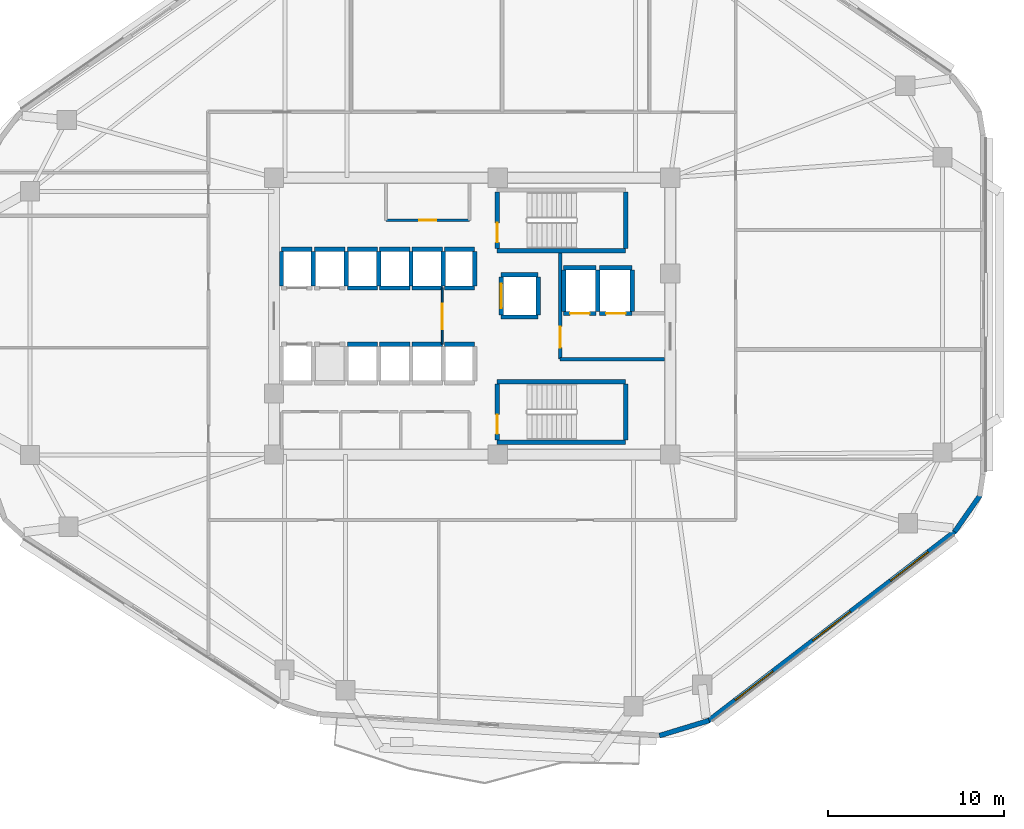
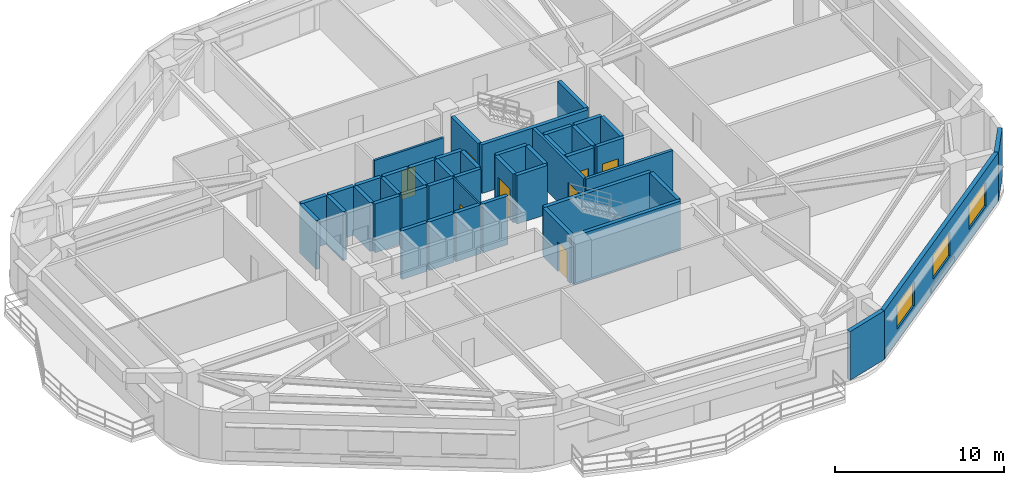
# One storey, part 4 of 10: 46 walls, 8 doors, 3 windows, 11 openings.
"""IFC4 building model written with IfcOpenShell, lengths in metres."""

import ifcopenshell
import ifcopenshell.guid

model = None  # the IFC model being written
_history = None  # IfcOwnerHistory: only IFC2X3 demands one
_inside = {}  # id of a spatial element -> (the spatial element, [elements in it])
_under = {}  # id of a project, library or spatial element -> (it, [spatial elements below it])
_declared = {}  # id of a project -> (the project, [libraries it declares])
_typed = {}  # id of a type object -> (the type object, [elements of that type])
_made_of = {}  # id of a material, layer set ... -> (it, [elements and type objects made of it])


def new_model(schema):
    """Start an empty IFC model of exactly this schema.

    Asked for "IFC4X3", IfcOpenShell would pick the latest addendum, in which some entities
    have other attributes; the version numbers below select the first issue.
    IFC2X3 requires an IfcOwnerHistory on every rooted entity: one is made here for all.
    """
    global model, _history
    if schema == "IFC4X3":
        model = ifcopenshell.file(schema_version=(4, 3, 0, 0))
    else:
        model = ifcopenshell.file(schema=schema)
    _inside.clear()
    _under.clear()
    _declared.clear()
    _typed.clear()
    _made_of.clear()
    _history = None
    if model.schema == "IFC2X3":
        org = make("IfcOrganization", Name="unknown")
        user = make(
            "IfcPersonAndOrganization",
            ThePerson=make("IfcPerson", FamilyName="unknown"),
            TheOrganization=org,
        )
        app = make(
            "IfcApplication",
            ApplicationDeveloper=org,
            Version="unknown",
            ApplicationFullName="unknown",
            ApplicationIdentifier="unknown",
        )
        _history = make(
            "IfcOwnerHistory",
            OwningUser=user,
            OwningApplication=app,
            ChangeAction="ADDED",
            CreationDate=0,
        )
    return model


def make(cls, **values):
    """One entity of the class cls with the attributes given. An attribute that is None is left unset."""
    return model.create_entity(
        cls, **{name: value for name, value in values.items() if value is not None}
    )


def rooted(cls, **values):
    """An entity with a GlobalId (a new one), such as an element, a storey or a relation."""
    return make(cls, GlobalId=ifcopenshell.guid.new(), OwnerHistory=_history, **values)


def si_unit(unit_type, name, prefix=None):
    """IfcSIUnit, for example si_unit("LENGTHUNIT", "METRE", prefix="MILLI")."""
    return make("IfcSIUnit", UnitType=unit_type, Prefix=prefix, Name=name)


def assignment(units):
    """IfcUnitAssignment: the units of a project."""
    return None if units is None else make("IfcUnitAssignment", Units=units)


def point(xyz):
    """IfcCartesianPoint."""
    return None if xyz is None else make("IfcCartesianPoint", Coordinates=xyz)


def direction(xyz):
    """IfcDirection."""
    return None if xyz is None else make("IfcDirection", DirectionRatios=xyz)


def frame(location, z_axis=None, x_axis=None):
    """IfcAxis2Placement3D, a coordinate frame: its origin and axes. An axis left out is left unset."""
    return make(
        "IfcAxis2Placement3D",
        Location=point(location),
        Axis=direction(z_axis),
        RefDirection=direction(x_axis),
    )


def frame_2d(location, x_axis=None):
    """IfcAxis2Placement2D, a coordinate frame in the plane: its origin and x axis."""
    return make(
        "IfcAxis2Placement2D", Location=point(location), RefDirection=direction(x_axis)
    )


def origin():
    """The frame at (0, 0, 0) with its axes left unset."""
    return frame((0.0, 0.0, 0.0))


def place(relative_to, where):
    """IfcLocalPlacement: puts the frame where relative to a parent placement (None: the world)."""
    return make(
        "IfcLocalPlacement", PlacementRelTo=relative_to, RelativePlacement=where
    )


def context(
    kind, dimensions, precision=None, world=None, true_north=None, identifier=None
):
    """IfcGeometricRepresentationContext, for example the 3D "Model" context."""
    return make(
        "IfcGeometricRepresentationContext",
        ContextIdentifier=identifier,
        ContextType=kind,
        CoordinateSpaceDimension=dimensions,
        Precision=precision,
        WorldCoordinateSystem=world,
        TrueNorth=true_north,
    )


def subcontext(parent, identifier, kind, view, scale=None):
    """IfcGeometricRepresentationSubContext, for example "Body" below "Model"."""
    return make(
        "IfcGeometricRepresentationSubContext",
        ContextIdentifier=identifier,
        ContextType=kind,
        ParentContext=parent,
        TargetScale=scale,
        TargetView=view,
    )


def project(units=None, contexts=None):
    """IfcProject with its units and contexts."""
    return rooted(
        "IfcProject",
        Name="project",
        RepresentationContexts=contexts,
        UnitsInContext=assignment(units),
    )


def spatial(cls, under=None, at=None, **own):
    """A site, building, storey or space (cls), placed at a placement, below another one or the project."""
    s = rooted(cls, ObjectPlacement=at, **own)
    if under is not None:
        _under.setdefault(under.id(), (under, []))[1].append(s)
    return s


def profile(cls, at=None, kind="AREA", **sizes):
    """A parametric profile (cls). Its sizes go by their IFC names, for example OverallWidth=200.0."""
    return make(cls, ProfileType=kind, Position=at, **sizes)


def rectangle(**sizes):
    """IfcRectangleProfileDef."""
    return profile("IfcRectangleProfileDef", **sizes)


def extrude(swept, where, along, depth):
    """IfcExtrudedAreaSolid: the profile swept, set in the frame where, extruded along a direction by depth."""
    return make(
        "IfcExtrudedAreaSolid",
        SweptArea=swept,
        Position=where,
        ExtrudedDirection=direction(along),
        Depth=depth,
    )


def shape(context_of_items, identifier, shape_type, items):
    """IfcShapeRepresentation: the items that make up one representation, for example the "Body"."""
    return make(
        "IfcShapeRepresentation",
        ContextOfItems=context_of_items,
        RepresentationIdentifier=identifier,
        RepresentationType=shape_type,
        Items=items,
    )


def material(Name=None, Category=None):
    """IfcMaterial."""
    return make("IfcMaterial", Name=Name, Category=Category)


def layer(
    of_material, thickness, ventilated=None, Name=None, Category=None, Priority=None
):
    """IfcMaterialLayer: one layer of a wall or slab, of a material (None: an air gap)."""
    return make(
        "IfcMaterialLayer",
        Material=of_material,
        LayerThickness=thickness,
        IsVentilated=ventilated,
        Name=Name,
        Category=Category,
        Priority=Priority,
    )


def layer_set(layers, Name=None):
    """IfcMaterialLayerSet."""
    return make("IfcMaterialLayerSet", MaterialLayers=layers, LayerSetName=Name)


def made_of(thing, what):
    """Note that an element or type object is made of a material, layer set ...; save() writes the relation."""
    if what is not None:
        _made_of.setdefault(what.id(), (what, []))[1].append(thing)
    return thing


def type_object(cls, material=None, **own):
    """A type object (cls), such as IfcWallType, which elements share."""
    return made_of(rooted(cls, **own), material)


def element(
    cls,
    number,
    at=None,
    inside=None,
    cuts=None,
    type_object=None,
    material=None,
    context=None,
    identifier="Body",
    shape_type=None,
    held_by="IfcProductDefinitionShape",
    body=None,
    shapes=None,
    **own,
):
    """One element of the class cls, such as IfcWall. Its Tag is "e" and its number.

    at: its placement. inside: the storey or other place that contains it. cuts: it is an
    opening in that element (IfcRelVoidsElement). A single representation is given by context,
    identifier, shape_type and body (its items); several are given by shapes. held_by: the class
    of the entity that holds the representations. save() writes the other relations.
    """
    e = rooted(cls, Tag="e%d" % number, ObjectPlacement=at, **own)
    if body is not None:
        shapes = [shape(context, identifier, shape_type, body)]
    if shapes is not None:
        e.Representation = make(held_by, Representations=shapes)
    if inside is not None:
        _inside.setdefault(inside.id(), (inside, []))[1].append(e)
    if cuts is not None:
        rooted(
            "IfcRelVoidsElement", RelatingBuildingElement=cuts, RelatedOpeningElement=e
        )
    if type_object is not None:
        _typed.setdefault(type_object.id(), (type_object, []))[1].append(e)
    return made_of(e, material)


def fill(opening, filler):
    """IfcRelFillsElement: the door or window that sits in an opening."""
    return rooted(
        "IfcRelFillsElement",
        RelatingOpeningElement=opening,
        RelatedBuildingElement=filler,
    )


def aggregate(whole, parts):
    """IfcRelAggregates: a whole, such as a stair, and the parts it consists of."""
    return rooted("IfcRelAggregates", RelatingObject=whole, RelatedObjects=parts)


def save(model, path):
    """Write the relations noted so far, then the file.

    IfcRelAggregates (storeys below a building ...), IfcRelContainedInSpatialStructure (elements
    in a storey), IfcRelDefinesByType, IfcRelAssociatesMaterial and IfcRelDeclares: one each for
    every whole, place, type object, material and project.
    """
    for whole, parts in _under.values():
        aggregate(whole, parts)
    for where, things in _inside.values():
        rooted(
            "IfcRelContainedInSpatialStructure",
            RelatedElements=things,
            RelatingStructure=where,
        )
    for kind, things in _typed.values():
        rooted("IfcRelDefinesByType", RelatedObjects=things, RelatingType=kind)
    for what, things in _made_of.values():
        rooted("IfcRelAssociatesMaterial", RelatedObjects=things, RelatingMaterial=what)
    for by, libraries in _declared.values():
        rooted("IfcRelDeclares", RelatingContext=by, RelatedDefinitions=libraries)
    model.write(path)


model = new_model("IFC4")

# Units and contexts
model_context = context("Model", 3, precision=1e-05, world=origin(), true_north=direction((0.0, 1.0)))
body_context = subcontext(model_context, "Body", "Model", "MODEL_VIEW")
ifc_project = project(units=[si_unit("LENGTHUNIT", "METRE"), si_unit("AREAUNIT", "SQUARE_METRE"), si_unit("VOLUMEUNIT", "CUBIC_METRE"), si_unit("PLANEANGLEUNIT", "RADIAN"), si_unit("MASSUNIT", "GRAM", prefix="KILO")], contexts=[model_context])

# Site, building, storey
site_placement = place(None, origin())
site = spatial("IfcSite", under=ifc_project, at=site_placement, CompositionType="ELEMENT")
building_placement = place(site_placement, origin())
building = spatial("IfcBuilding", under=site, at=building_placement, Name="Zulverin Broadcast Headquarters", CompositionType="ELEMENT")
storey_placement = place(building_placement, frame((0.0, 0.0, 97.199951171875)))
storey = spatial("IfcBuildingStorey", under=building, at=storey_placement, Name="L24", CompositionType="ELEMENT", Elevation=97.199951171875)

# Wall, openings, windows
ifc_material_1 = material(Name="Insulated pale-metal clad concrete spandrel C40/50", Category="concrete")
ifc_layer_1 = layer(ifc_material_1, 0.280029296875, Name="Insulated pale-metal clad concrete spandrel C40/50", Category="concrete")
ifc_layer_set_1 = layer_set([ifc_layer_1], Name="Insulated pale-metal clad concrete spandrel C40/50")
wall_type_1 = type_object("IfcWallType", Name="WL-EXT-280", PredefinedType="STANDARD", material=ifc_layer_set_1)
wall_1_placement = place(storey_placement, frame((50.4287109375, 2.171630859375, 0.0), z_axis=(0.0, 0.0, 1.0), x_axis=(0.792937466367, 0.609303023488, 0.0)))
wall_1 = element("IfcWall", 1, at=wall_1_placement, inside=storey, type_object=wall_type_1, Name="L24 Pale-Metal Clad Spandrel Wall 2", PredefinedType="STANDARD", context=body_context, shape_type="SweptSolid", body=[
    extrude(rectangle(XDim=17.712890625, YDim=0.280029296875, at=frame_2d((8.8564453125, 0.0))), origin(), (0.0, 0.0, 1.0), 3.525146484375),
])
opening_1_placement = place(wall_1_placement, frame((1.935546875, 0.0, 0.89990234375)))
opening_1 = element("IfcOpeningElement", 2, at=opening_1_placement, cuts=wall_1, Name="Opening W-L24-E21", PredefinedType="OPENING", context=body_context, shape_type="SweptSolid", body=[
    extrude(rectangle(XDim=2.699951171875, YDim=1.75, at=frame_2d((1.35009765625, 0.875))), frame((0.0, 0.14990234375, 0.0), z_axis=(0.0, -1.0, 0.0), x_axis=(1.0, 0.0, 0.0)), (0.0, 0.0, 1.0), 0.300048828125),
])
opening_2_placement = place(wall_1_placement, frame((7.50634765625, 0.0, 0.89990234375)))
opening_2 = element("IfcOpeningElement", 3, at=opening_2_placement, cuts=wall_1, Name="Opening W-L24-E22", PredefinedType="OPENING", context=body_context, shape_type="SweptSolid", body=[
    extrude(rectangle(XDim=2.699951171875, YDim=1.75, at=frame_2d((1.35009765625, 0.875))), frame((0.0, 0.14990234375, 0.0), z_axis=(0.0, -1.0, 0.0), x_axis=(1.0, 0.0, 0.0)), (0.0, 0.0, 1.0), 0.300048828125),
])
opening_3_placement = place(wall_1_placement, frame((13.077392578125, 0.0, 0.89990234375)))
opening_3 = element("IfcOpeningElement", 4, at=opening_3_placement, cuts=wall_1, Name="Opening W-L24-E23", PredefinedType="OPENING", context=body_context, shape_type="SweptSolid", body=[
    extrude(rectangle(XDim=2.699951171875, YDim=1.75, at=frame_2d((1.35009765625, 0.875))), frame((0.0, 0.14990234375, 0.0), z_axis=(0.0, -1.0, 0.0), x_axis=(1.0, 0.0, 0.0)), (0.0, 0.0, 1.0), 0.300048828125),
])
ifc_material_2 = material(Name="Pale anodized aluminium frame with solar-control low-E double glazing", Category="aluminium")
window_type = type_object("IfcWindowType", Name="WIN-TWR-2700", PartitioningType="SINGLE_PANEL", PredefinedType="WINDOW", material=ifc_material_2)
window_1_placement = place(opening_1_placement, origin())
window_1 = element("IfcWindow", 5, at=window_1_placement, inside=storey, type_object=window_type, Name="L24 Ribbon Glazing Window 2 1", OverallHeight=1.75, OverallWidth=2.699951171875, PartitioningType="SINGLE_PANEL", PredefinedType="WINDOW", context=body_context, shape_type="SweptSolid", body=[
    extrude(rectangle(XDim=2.699951171875, YDim=1.75, at=frame_2d((1.35009765625, 0.875))), frame((0.0, 0.030029296875, 0.0), z_axis=(0.0, -1.0, 0.0), x_axis=(1.0, 0.0, 0.0)), (0.0, 0.0, 1.0), 0.06005859375),
])
fill(opening_1, window_1)
window_2_placement = place(opening_2_placement, origin())
window_2 = element("IfcWindow", 6, at=window_2_placement, inside=storey, type_object=window_type, Name="L24 Ribbon Glazing Window 2 2", OverallHeight=1.75, OverallWidth=2.699951171875, PartitioningType="SINGLE_PANEL", PredefinedType="WINDOW", context=body_context, shape_type="SweptSolid", body=[
    extrude(rectangle(XDim=2.699951171875, YDim=1.75, at=frame_2d((1.35009765625, 0.875))), frame((0.0, 0.030029296875, 0.0), z_axis=(0.0, -1.0, 0.0), x_axis=(1.0, 0.0, 0.0)), (0.0, 0.0, 1.0), 0.06005859375),
])
fill(opening_2, window_2)
window_3_placement = place(opening_3_placement, origin())
window_3 = element("IfcWindow", 7, at=window_3_placement, inside=storey, type_object=window_type, Name="L24 Ribbon Glazing Window 2 3", OverallHeight=1.75, OverallWidth=2.699951171875, PartitioningType="SINGLE_PANEL", PredefinedType="WINDOW", context=body_context, shape_type="SweptSolid", body=[
    extrude(rectangle(XDim=2.699951171875, YDim=1.75, at=frame_2d((1.35009765625, 0.875))), frame((0.0, 0.030029296875, 0.0), z_axis=(0.0, -1.0, 0.0), x_axis=(1.0, 0.0, 0.0)), (0.0, 0.0, 1.0), 0.06005859375),
])
fill(opening_3, window_3)

# Walls
wall_2_placement = place(storey_placement, frame((47.649658203125, 1.3330078125, 0.0), z_axis=(0.0, 0.0, 1.0), x_axis=(0.956461287977, 0.291859220516, 0.0)))
element("IfcWall", 8, at=wall_2_placement, inside=storey, type_object=wall_type_1, Name="L24 Wind-Shaped Corner Spandrel Wall 1-1", PredefinedType="STANDARD", context=body_context, shape_type="SweptSolid", body=[
    extrude(rectangle(XDim=2.951904296875, YDim=0.280029296875, at=frame_2d((1.47607421875, 0.0))), origin(), (0.0, 0.0, 1.0), 3.525146484375),
])
wall_3_placement = place(storey_placement, frame((64.4443359375, 12.933349609375, 0.0), z_axis=(0.0, 0.0, 1.0), x_axis=(0.573176686443, 0.819431806875, 0.0)))
element("IfcWall", 9, at=wall_3_placement, inside=storey, type_object=wall_type_1, Name="L24 Wind-Shaped Corner Spandrel Wall 2-1", PredefinedType="STANDARD", context=body_context, shape_type="SweptSolid", body=[
    extrude(rectangle(XDim=2.524169921875, YDim=0.280029296875, at=frame_2d((1.26220703125, 0.0))), origin(), (0.0, 0.0, 1.0), 3.525146484375),
])

# Wall, opening, door
ifc_material_3 = material(Name="Concrete C40/50", Category="concrete")
ifc_layer_2 = layer(ifc_material_3, 0.199951171875, Name="Concrete C40/50", Category="concrete")
ifc_layer_set_2 = layer_set([ifc_layer_2], Name="Concrete C40/50")
wall_type_2 = type_object("IfcWallType", Name="WL-FFL-200", PredefinedType="SOLIDWALL", material=ifc_layer_set_2)
wall_4_placement = place(storey_placement, frame((42.0, 22.75, 0.0), z_axis=(0.0, 0.0, 1.0), x_axis=(0.0, 1.0, 0.0)))
wall_4 = element("IfcWall", 10, at=wall_4_placement, inside=storey, type_object=wall_type_2, Name="L24 Firefighting Lift Lobby West Wall", PredefinedType="SOLIDWALL", context=body_context, shape_type="SweptSolid", body=[
    extrude(rectangle(XDim=6.050048828125, YDim=0.199951171875, at=frame_2d((3.02490234375, 0.0))), origin(), (0.0, 0.0, 1.0), 3.525146484375),
])
opening_4_placement = place(wall_4_placement, frame((0.64990234375, 0.0, 0.0)))
opening_4 = element("IfcOpeningElement", 11, at=opening_4_placement, cuts=wall_4, Name="Opening D-L24-FFLW", PredefinedType="OPENING", context=body_context, shape_type="SweptSolid", body=[
    extrude(rectangle(XDim=1.199951171875, YDim=2.14990234375, at=frame_2d((0.60009765625, 1.074951171875))), frame((0.0, 0.10986328125, 0.0), z_axis=(0.0, -1.0, 0.0), x_axis=(1.0, 0.0, 0.0)), (0.0, 0.0, 1.0), 0.219970703125),
])
ifc_material_4 = material(Name="Fire-rated steel leaf and frame", Category="steel")
door_type_1 = type_object("IfcDoorType", Name="DR-FFL-1200", OperationType="SINGLE_SWING_RIGHT", PredefinedType="DOOR", material=ifc_material_4)
door_1_placement = place(opening_4_placement, origin())
door_1 = element("IfcDoor", 12, at=door_1_placement, inside=storey, type_object=door_type_1, Name="L24 Firefighting Lift Lobby Door", OperationType="SINGLE_SWING_RIGHT", OverallHeight=2.14990234375, OverallWidth=1.199951171875, PredefinedType="DOOR", context=body_context, shape_type="SweptSolid", body=[
    extrude(rectangle(XDim=1.199951171875, YDim=2.14990234375, at=frame_2d((0.60009765625, 1.074951171875))), frame((0.0, 0.02490234375, 0.0), z_axis=(0.0, -1.0, 0.0), x_axis=(1.0, 0.0, 0.0)), (0.0, 0.0, 1.0), 0.050048828125),
])
fill(opening_4, door_1)

# Wall
wall_5_placement = place(storey_placement, frame((42.0, 22.75, 0.0), z_axis=(0.0, 0.0, 1.0), x_axis=(1.0, 0.0, 0.0)))
element("IfcWall", 13, at=wall_5_placement, inside=storey, type_object=wall_type_2, Name="L24 Firefighting Lift Lobby South Wall", PredefinedType="SOLIDWALL", context=body_context, shape_type="SweptSolid", body=[
    extrude(rectangle(XDim=5.949951171875, YDim=0.199951171875, at=frame_2d((2.97509765625, 0.0))), origin(), (0.0, 0.0, 1.0), 3.525146484375),
])

# Wall, opening, door
ifc_material_5 = material(Name="Fire-rated acoustic laminated glass screen", Category="glass")
ifc_layer_3 = layer(ifc_material_5, 0.10009765625, Name="Fire-rated acoustic laminated glass screen", Category="glass")
ifc_layer_set_3 = layer_set([ifc_layer_3], Name="Fire-rated acoustic laminated glass screen")
wall_type_3 = type_object("IfcWallType", Name="WL-GLAZ-100", PredefinedType="PARTITIONING", material=ifc_layer_set_3)
wall_6_placement = place(storey_placement, frame((35.300048828125, 23.60009765625, 0.0), z_axis=(0.0, 0.0, 1.0), x_axis=(0.0, 1.0, 0.0)))
wall_6 = element("IfcWall", 14, at=wall_6_placement, inside=storey, type_object=wall_type_3, Name="L24 Central Core Smoke Vestibule Screen", PredefinedType="PARTITIONING", context=body_context, shape_type="SweptSolid", body=[
    extrude(rectangle(XDim=3.199951171875, YDim=0.10009765625, at=frame_2d((1.60009765625, 0.0))), origin(), (0.0, 0.0, 1.0), 3.525146484375),
])
opening_5_placement = place(wall_6_placement, frame((0.85009765625, 0.0, 0.0)))
opening_5 = element("IfcOpeningElement", 15, at=opening_5_placement, cuts=wall_6, Name="Opening D-L24-CL2", PredefinedType="OPENING", context=body_context, shape_type="SweptSolid", body=[
    extrude(rectangle(XDim=1.449951171875, YDim=2.1201171875, at=frame_2d((0.72509765625, 1.06005859375))), frame((0.0, 0.06005859375, 0.0), z_axis=(0.0, -1.0, 0.0), x_axis=(1.0, 0.0, 0.0)), (0.0, 0.0, 1.0), 0.1201171875),
])
ifc_material_6 = material(Name="Fire-rated acoustic glazed double leaf", Category="glass")
door_type_2 = type_object("IfcDoorType", Name="DR-GLZ-1450", OperationType="DOUBLE_DOOR_SINGLE_SWING", PredefinedType="DOOR", material=ifc_material_6)
door_2_placement = place(opening_5_placement, origin())
door_2 = element("IfcDoor", 16, at=door_2_placement, inside=storey, type_object=door_type_2, Name="L24 Central Core Smoke Vestibule Door", OperationType="DOUBLE_DOOR_SINGLE_SWING", OverallHeight=2.1201171875, OverallWidth=1.449951171875, PredefinedType="DOOR", context=body_context, shape_type="SweptSolid", body=[
    extrude(rectangle(XDim=1.449951171875, YDim=2.1201171875, at=frame_2d((0.72509765625, 1.06005859375))), frame((0.0, 0.02490234375, 0.0), z_axis=(0.0, -1.0, 0.0), x_axis=(1.0, 0.0, 0.0)), (0.0, 0.0, 1.0), 0.050048828125),
])
fill(opening_5, door_2)

ifc_material_7 = material(Name="Fire-rated gypsum stud partition", Category="gypsum")
ifc_layer_4 = layer(ifc_material_7, 0.14990234375, Name="Fire-rated gypsum stud partition", Category="gypsum")
ifc_layer_set_4 = layer_set([ifc_layer_4], Name="Fire-rated gypsum stud partition")
wall_type_4 = type_object("IfcWallType", Name="WL-PART-150", PredefinedType="PARTITIONING", material=ifc_layer_set_4)
wall_7_placement = place(storey_placement, frame((32.10009765625, 30.64990234375, 0.0), z_axis=(0.0, 0.0, 1.0), x_axis=(1.0, 0.0, 0.0)))
wall_7 = element("IfcWall", 17, at=wall_7_placement, inside=storey, type_object=wall_type_4, Name="L24 Core Accessible WC & Electrical Riser Front Wall", PredefinedType="PARTITIONING", context=body_context, shape_type="SweptSolid", body=[
    extrude(rectangle(XDim=4.75, YDim=0.14990234375, at=frame_2d((2.375, 0.0))), origin(), (0.0, 0.0, 1.0), 3.525146484375),
])
opening_6_placement = place(wall_7_placement, frame((1.89990234375, 0.0, 0.0)))
opening_6 = element("IfcOpeningElement", 18, at=opening_6_placement, cuts=wall_7, Name="Opening D-L24-NC1", PredefinedType="OPENING", context=body_context, shape_type="SweptSolid", body=[
    extrude(rectangle(XDim=0.949951171875, YDim=2.10009765625, at=frame_2d((0.47509765625, 1.050048828125))), frame((0.0, 0.0849609375, 0.0), z_axis=(0.0, -1.0, 0.0), x_axis=(1.0, 0.0, 0.0)), (0.0, 0.0, 1.0), 0.169921875),
])
ifc_material_8 = material(Name="Fire-rated moisture-resistant laminate leaf", Category="wood")
door_type_3 = type_object("IfcDoorType", Name="DR-WC-950", OperationType="SINGLE_SWING_LEFT", PredefinedType="DOOR", material=ifc_material_8)
door_3_placement = place(opening_6_placement, origin())
door_3 = element("IfcDoor", 19, at=door_3_placement, inside=storey, type_object=door_type_3, Name="L24 Accessible WC & Electrical Riser Door", OperationType="SINGLE_SWING_LEFT", OverallHeight=2.10009765625, OverallWidth=0.949951171875, PredefinedType="DOOR", context=body_context, shape_type="SweptSolid", body=[
    extrude(rectangle(XDim=0.949951171875, YDim=2.10009765625, at=frame_2d((0.47509765625, 1.050048828125))), frame((0.0, 0.02490234375, 0.0), z_axis=(0.0, -1.0, 0.0), x_axis=(1.0, 0.0, 0.0)), (0.0, 0.0, 1.0), 0.050048828125),
])
fill(opening_6, door_3)

# Wall
ifc_material_9 = material(Name="Concrete C50/60", Category="concrete")
ifc_layer_5 = layer(ifc_material_9, 0.25, Name="Concrete C50/60", Category="concrete")
ifc_layer_set_5 = layer_set([ifc_layer_5], Name="Concrete C50/60")
wall_type_5 = type_object("IfcWallType", Name="WL-SHAFT-250", PredefinedType="SHEAR", material=ifc_layer_set_5)
wall_8_placement = place(storey_placement, frame((38.425048828125, 28.925048828125, 0.0), z_axis=(0.0, 0.0, 1.0), x_axis=(1.0, 0.0, 0.0)))
element("IfcWall", 20, at=wall_8_placement, inside=storey, type_object=wall_type_5, Name="L24 ST-1 Enclosure Wall S", PredefinedType="SHEAR", context=body_context, shape_type="SweptSolid", body=[
    extrude(rectangle(XDim=7.300048828125, YDim=0.25, at=frame_2d((3.64990234375, 0.0))), origin(), (0.0, 0.0, 1.0), 3.525146484375),
])

# Wall, opening, door
wall_9_placement = place(storey_placement, frame((38.425048828125, 29.050048828125, 0.0), z_axis=(0.0, 0.0, 1.0), x_axis=(0.0, 1.0, 0.0)))
wall_9 = element("IfcWall", 21, at=wall_9_placement, inside=storey, type_object=wall_type_5, Name="L24 ST-1 Enclosure Wall W", PredefinedType="SHEAR", context=body_context, shape_type="SweptSolid", body=[
    extrude(rectangle(XDim=3.199951171875, YDim=0.25, at=frame_2d((1.60009765625, 0.0))), origin(), (0.0, 0.0, 1.0), 3.525146484375),
])
opening_7_placement = place(wall_9_placement, frame((0.35009765625, 0.0, 0.0)))
opening_7 = element("IfcOpeningElement", 22, at=opening_7_placement, cuts=wall_9, Name="Opening D-L24-ST-1", PredefinedType="OPENING", context=body_context, shape_type="SweptSolid", body=[
    extrude(rectangle(XDim=1.10009765625, YDim=2.14990234375, at=frame_2d((0.550048828125, 1.074951171875))), frame((0.0, 0.135009765625, 0.0), z_axis=(0.0, -1.0, 0.0), x_axis=(1.0, 0.0, 0.0)), (0.0, 0.0, 1.0), 0.27001953125),
])
door_type_4 = type_object("IfcDoorType", Name="DR-STAIR-1100", OperationType="SINGLE_SWING_LEFT", PredefinedType="DOOR", material=ifc_material_4)
door_4_placement = place(opening_7_placement, origin())
door_4 = element("IfcDoor", 23, at=door_4_placement, inside=storey, type_object=door_type_4, Name="L24 Exit Stair ST-1 Fire Door", OperationType="SINGLE_SWING_LEFT", OverallHeight=2.14990234375, OverallWidth=1.10009765625, PredefinedType="DOOR", context=body_context, shape_type="SweptSolid", body=[
    extrude(rectangle(XDim=1.10009765625, YDim=2.14990234375, at=frame_2d((0.550048828125, 1.074951171875))), frame((0.0, 0.02490234375, 0.0), z_axis=(0.0, -1.0, 0.0), x_axis=(1.0, 0.0, 0.0)), (0.0, 0.0, 1.0), 0.050048828125),
])
fill(opening_7, door_4)

# Walls
wall_10_placement = place(storey_placement, frame((45.72509765625, 29.050048828125, 0.0), z_axis=(0.0, 0.0, 1.0), x_axis=(0.0, 1.0, 0.0)))
element("IfcWall", 24, at=wall_10_placement, inside=storey, type_object=wall_type_5, Name="L24 ST-1 Enclosure Wall E", PredefinedType="SHEAR", context=body_context, shape_type="SweptSolid", body=[
    extrude(rectangle(XDim=3.199951171875, YDim=0.25, at=frame_2d((1.60009765625, 0.0))), origin(), (0.0, 0.0, 1.0), 3.525146484375),
])
for number, where, z_axis, x_axis, name in (
    (25, (38.425048828125, 18.02490234375, 0.0), (0.0, 0.0, 1.0), (1.0, 0.0, 0.0), "L24 ST-2 Enclosure Wall S"),
    (26, (38.425048828125, 21.47509765625, 0.0), (0.0, 0.0, 1.0), (1.0, 0.0, 0.0), "L24 ST-2 Enclosure Wall N"),
):
    element("IfcWall", number, at=place(storey_placement, frame(where, z_axis=z_axis, x_axis=x_axis)), inside=storey, type_object=wall_type_5, Name=name, PredefinedType="SHEAR", context=body_context, shape_type="SweptSolid", body=[
        extrude(rectangle(XDim=7.300048828125, YDim=0.25, at=frame_2d((3.64990234375, 0.0))), origin(), (0.0, 0.0, 1.0), 3.525146484375),
    ])

# Wall, opening, door
wall_11_placement = place(storey_placement, frame((38.425048828125, 18.14990234375, 0.0), z_axis=(0.0, 0.0, 1.0), x_axis=(0.0, 1.0, 0.0)))
wall_11 = element("IfcWall", 27, at=wall_11_placement, inside=storey, type_object=wall_type_5, Name="L24 ST-2 Enclosure Wall W", PredefinedType="SHEAR", context=body_context, shape_type="SweptSolid", body=[
    extrude(rectangle(XDim=3.2001953125, YDim=0.25, at=frame_2d((1.60009765625, 0.0))), origin(), (0.0, 0.0, 1.0), 3.525146484375),
])
opening_8_placement = place(wall_11_placement, frame((0.35009765625, 0.0, 0.0)))
opening_8 = element("IfcOpeningElement", 28, at=opening_8_placement, cuts=wall_11, Name="Opening D-L24-ST-2", PredefinedType="OPENING", context=body_context, shape_type="SweptSolid", body=[
    extrude(rectangle(XDim=1.10009765625, YDim=2.14990234375, at=frame_2d((0.550048828125, 1.074951171875))), frame((0.0, 0.135009765625, 0.0), z_axis=(0.0, -1.0, 0.0), x_axis=(1.0, 0.0, 0.0)), (0.0, 0.0, 1.0), 0.27001953125),
])
door_5_placement = place(opening_8_placement, origin())
door_5 = element("IfcDoor", 29, at=door_5_placement, inside=storey, type_object=door_type_4, Name="L24 Exit Stair ST-2 Fire Door", OperationType="SINGLE_SWING_RIGHT", OverallHeight=2.14990234375, OverallWidth=1.10009765625, PredefinedType="DOOR", context=body_context, shape_type="SweptSolid", body=[
    extrude(rectangle(XDim=1.10009765625, YDim=2.14990234375, at=frame_2d((0.550048828125, 1.074951171875))), frame((0.0, 0.02490234375, 0.0), z_axis=(0.0, -1.0, 0.0), x_axis=(1.0, 0.0, 0.0)), (0.0, 0.0, 1.0), 0.050048828125),
])
fill(opening_8, door_5)

# Walls
wall_12_placement = place(storey_placement, frame((45.72509765625, 18.14990234375, 0.0), z_axis=(0.0, 0.0, 1.0), x_axis=(0.0, 1.0, 0.0)))
element("IfcWall", 30, at=wall_12_placement, inside=storey, type_object=wall_type_5, Name="L24 ST-2 Enclosure Wall E", PredefinedType="SHEAR", context=body_context, shape_type="SweptSolid", body=[
    extrude(rectangle(XDim=3.2001953125, YDim=0.25, at=frame_2d((1.60009765625, 0.0))), origin(), (0.0, 0.0, 1.0), 3.525146484375),
])
wall_13_placement = place(storey_placement, frame((26.14990234375, 29.0, 0.0), z_axis=(0.0, 0.0, 1.0), x_axis=(1.0, 0.0, 0.0)))
element("IfcWall", 31, at=wall_13_placement, inside=storey, type_object=wall_type_5, Name="L24 Lift PL-L1 Shaft Wall N", PredefinedType="SHEAR", context=body_context, shape_type="SweptSolid", body=[
    extrude(rectangle(XDim=1.75, YDim=0.25, at=frame_2d((0.875, 0.0))), origin(), (0.0, 0.0, 1.0), 3.525146484375),
])
for number, where, z_axis, x_axis, name in (
    (32, (26.14990234375, 26.919921875, 0.0), (0.0, 0.0, 1.0), (0.0, 1.0, 0.0), "L24 Lift PL-L1 Shaft Wall W"),
    (33, (27.9599609375, 26.919921875, 0.0), (0.0, 0.0, 1.0), (0.0, 1.0, 0.0), "L24 Lift PL-L1 Shaft Wall E"),
):
    element("IfcWall", number, at=place(storey_placement, frame(where, z_axis=z_axis, x_axis=x_axis)), inside=storey, type_object=wall_type_5, Name=name, PredefinedType="SHEAR", context=body_context, shape_type="SweptSolid", body=[
        extrude(rectangle(XDim=1.9599609375, YDim=0.25, at=frame_2d((0.97998046875, 0.0))), origin(), (0.0, 0.0, 1.0), 3.525146484375),
    ])
wall_14_placement = place(storey_placement, frame((28.02001953125, 29.0, 0.0), z_axis=(0.0, 0.0, 1.0), x_axis=(1.0, 0.0, 0.0)))
element("IfcWall", 34, at=wall_14_placement, inside=storey, type_object=wall_type_5, Name="L24 Lift PL-L2 Shaft Wall N", PredefinedType="SHEAR", context=body_context, shape_type="SweptSolid", body=[
    extrude(rectangle(XDim=1.75, YDim=0.25, at=frame_2d((0.875, 0.0))), origin(), (0.0, 0.0, 1.0), 3.525146484375),
])
wall_15_placement = place(storey_placement, frame((29.8349609375, 26.919921875, 0.0), z_axis=(0.0, 0.0, 1.0), x_axis=(0.0, 1.0, 0.0)))
element("IfcWall", 35, at=wall_15_placement, inside=storey, type_object=wall_type_5, Name="L24 Lift PL-L2 Shaft Wall E", PredefinedType="SHEAR", context=body_context, shape_type="SweptSolid", body=[
    extrude(rectangle(XDim=1.9599609375, YDim=0.25, at=frame_2d((0.97998046875, 0.0))), origin(), (0.0, 0.0, 1.0), 3.525146484375),
])
wall_16_placement = place(storey_placement, frame((29.89990234375, 23.60009765625, 0.0), z_axis=(0.0, 0.0, 1.0), x_axis=(1.0, 0.0, 0.0)))
element("IfcWall", 36, at=wall_16_placement, inside=storey, type_object=wall_type_5, Name="L24 Lift PL-M1 Shaft Wall N", PredefinedType="SHEAR", context=body_context, shape_type="SweptSolid", body=[
    extrude(rectangle(XDim=1.72021484375, YDim=0.25, at=frame_2d((0.860107421875, 0.0))), origin(), (0.0, 0.0, 1.0), 3.525146484375),
])
for number, where, z_axis, x_axis, name in (
    (37, (31.739990234375, 23.60009765625, 0.0), (0.0, 0.0, 1.0), (1.0, 0.0, 0.0), "L24 Lift PL-M2 Shaft Wall N"),
    (38, (33.580078125, 23.60009765625, 0.0), (0.0, 0.0, 1.0), (1.0, 0.0, 0.0), "L24 Lift PL-M3 Shaft Wall N"),
    (39, (35.419921875, 23.60009765625, 0.0), (0.0, 0.0, 1.0), (1.0, 0.0, 0.0), "L24 Lift PL-M4 Shaft Wall N"),
):
    element("IfcWall", number, at=place(storey_placement, frame(where, z_axis=z_axis, x_axis=x_axis)), inside=storey, type_object=wall_type_5, Name=name, PredefinedType="SHEAR", context=body_context, shape_type="SweptSolid", body=[
        extrude(rectangle(XDim=1.719970703125, YDim=0.25, at=frame_2d((0.85986328125, 0.0))), origin(), (0.0, 0.0, 1.0), 3.525146484375),
    ])
for number, where, z_axis, x_axis, name in (
    (40, (29.89990234375, 26.800048828125, 0.0), (0.0, 0.0, 1.0), (1.0, 0.0, 0.0), "L24 Lift PL-H1 Shaft Wall S"),
    (41, (29.89990234375, 29.0, 0.0), (0.0, 0.0, 1.0), (1.0, 0.0, 0.0), "L24 Lift PL-H1 Shaft Wall N"),
):
    element("IfcWall", number, at=place(storey_placement, frame(where, z_axis=z_axis, x_axis=x_axis)), inside=storey, type_object=wall_type_5, Name=name, PredefinedType="SHEAR", context=body_context, shape_type="SweptSolid", body=[
        extrude(rectangle(XDim=1.72021484375, YDim=0.25, at=frame_2d((0.860107421875, 0.0))), origin(), (0.0, 0.0, 1.0), 3.525146484375),
    ])
wall_17_placement = place(storey_placement, frame((31.679931640625, 26.919921875, 0.0), z_axis=(0.0, 0.0, 1.0), x_axis=(0.0, 1.0, 0.0)))
element("IfcWall", 42, at=wall_17_placement, inside=storey, type_object=wall_type_5, Name="L24 Lift PL-H1 Shaft Wall E", PredefinedType="SHEAR", context=body_context, shape_type="SweptSolid", body=[
    extrude(rectangle(XDim=1.9599609375, YDim=0.25, at=frame_2d((0.97998046875, 0.0))), origin(), (0.0, 0.0, 1.0), 3.525146484375),
])
for number, where, z_axis, x_axis, name in (
    (43, (31.739990234375, 26.800048828125, 0.0), (0.0, 0.0, 1.0), (1.0, 0.0, 0.0), "L24 Lift PL-H2 Shaft Wall S"),
    (44, (31.739990234375, 29.0, 0.0), (0.0, 0.0, 1.0), (1.0, 0.0, 0.0), "L24 Lift PL-H2 Shaft Wall N"),
):
    element("IfcWall", number, at=place(storey_placement, frame(where, z_axis=z_axis, x_axis=x_axis)), inside=storey, type_object=wall_type_5, Name=name, PredefinedType="SHEAR", context=body_context, shape_type="SweptSolid", body=[
        extrude(rectangle(XDim=1.719970703125, YDim=0.25, at=frame_2d((0.85986328125, 0.0))), origin(), (0.0, 0.0, 1.0), 3.525146484375),
    ])
wall_18_placement = place(storey_placement, frame((33.52001953125, 26.919921875, 0.0), z_axis=(0.0, 0.0, 1.0), x_axis=(0.0, 1.0, 0.0)))
element("IfcWall", 45, at=wall_18_placement, inside=storey, type_object=wall_type_5, Name="L24 Lift PL-H2 Shaft Wall E", PredefinedType="SHEAR", context=body_context, shape_type="SweptSolid", body=[
    extrude(rectangle(XDim=1.9599609375, YDim=0.25, at=frame_2d((0.97998046875, 0.0))), origin(), (0.0, 0.0, 1.0), 3.525146484375),
])
for number, where, z_axis, x_axis, name in (
    (46, (33.580078125, 26.800048828125, 0.0), (0.0, 0.0, 1.0), (1.0, 0.0, 0.0), "L24 Lift PL-H3 Shaft Wall S"),
    (47, (33.580078125, 29.0, 0.0), (0.0, 0.0, 1.0), (1.0, 0.0, 0.0), "L24 Lift PL-H3 Shaft Wall N"),
):
    element("IfcWall", number, at=place(storey_placement, frame(where, z_axis=z_axis, x_axis=x_axis)), inside=storey, type_object=wall_type_5, Name=name, PredefinedType="SHEAR", context=body_context, shape_type="SweptSolid", body=[
        extrude(rectangle(XDim=1.719970703125, YDim=0.25, at=frame_2d((0.85986328125, 0.0))), origin(), (0.0, 0.0, 1.0), 3.525146484375),
    ])
wall_19_placement = place(storey_placement, frame((35.360107421875, 26.919921875, 0.0), z_axis=(0.0, 0.0, 1.0), x_axis=(0.0, 1.0, 0.0)))
element("IfcWall", 48, at=wall_19_placement, inside=storey, type_object=wall_type_5, Name="L24 Lift PL-H3 Shaft Wall E", PredefinedType="SHEAR", context=body_context, shape_type="SweptSolid", body=[
    extrude(rectangle(XDim=1.9599609375, YDim=0.25, at=frame_2d((0.97998046875, 0.0))), origin(), (0.0, 0.0, 1.0), 3.525146484375),
])
for number, where, z_axis, x_axis, name in (
    (49, (35.419921875, 26.800048828125, 0.0), (0.0, 0.0, 1.0), (1.0, 0.0, 0.0), "L24 Lift PL-H4 Shaft Wall S"),
    (50, (35.419921875, 29.0, 0.0), (0.0, 0.0, 1.0), (1.0, 0.0, 0.0), "L24 Lift PL-H4 Shaft Wall N"),
):
    element("IfcWall", number, at=place(storey_placement, frame(where, z_axis=z_axis, x_axis=x_axis)), inside=storey, type_object=wall_type_5, Name=name, PredefinedType="SHEAR", context=body_context, shape_type="SweptSolid", body=[
        extrude(rectangle(XDim=1.719970703125, YDim=0.25, at=frame_2d((0.85986328125, 0.0))), origin(), (0.0, 0.0, 1.0), 3.525146484375),
    ])
wall_20_placement = place(storey_placement, frame((37.139892578125, 26.919921875, 0.0), z_axis=(0.0, 0.0, 1.0), x_axis=(0.0, 1.0, 0.0)))
element("IfcWall", 51, at=wall_20_placement, inside=storey, type_object=wall_type_5, Name="L24 Lift PL-H4 Shaft Wall E", PredefinedType="SHEAR", context=body_context, shape_type="SweptSolid", body=[
    extrude(rectangle(XDim=1.9599609375, YDim=0.25, at=frame_2d((0.97998046875, 0.0))), origin(), (0.0, 0.0, 1.0), 3.525146484375),
])

# Wall, opening, door
wall_21_placement = place(storey_placement, frame((42.199951171875, 25.35009765625, 0.0), z_axis=(0.0, 0.0, 1.0), x_axis=(1.0, 0.0, 0.0)))
wall_21 = element("IfcWall", 52, at=wall_21_placement, inside=storey, type_object=wall_type_5, Name="L24 Lift FFL-1 Shaft Wall S", PredefinedType="SHEAR", context=body_context, shape_type="SweptSolid", body=[
    extrude(rectangle(XDim=1.85009765625, YDim=0.25, at=frame_2d((0.925048828125, 0.0))), origin(), (0.0, 0.0, 1.0), 3.525146484375),
])
opening_9_placement = place(wall_21_placement, frame((0.375, 0.0, 0.0)))
opening_9 = element("IfcOpeningElement", 53, at=opening_9_placement, cuts=wall_21, Name="Opening LD-FFL-1-L24", PredefinedType="OPENING", context=body_context, shape_type="SweptSolid", body=[
    extrude(rectangle(XDim=1.10009765625, YDim=2.14990234375, at=frame_2d((0.550048828125, 1.074951171875))), frame((0.0, 0.135009765625, 0.0), z_axis=(0.0, -1.0, 0.0), x_axis=(1.0, 0.0, 0.0)), (0.0, 0.0, 1.0), 0.27001953125),
])
ifc_material_10 = material(Name="Fire-rated stainless landing door", Category="steel")
door_type_5 = type_object("IfcDoorType", Name="LD-FFL-1100", OperationType="DOUBLE_DOOR_SLIDING", PredefinedType="DOOR", material=ifc_material_10)
door_6_placement = place(opening_9_placement, origin())
door_6 = element("IfcDoor", 54, at=door_6_placement, inside=storey, type_object=door_type_5, Name="L24 Lift FFL-1 Sliding Landing Door", OperationType="DOUBLE_DOOR_SLIDING", OverallHeight=2.14990234375, OverallWidth=1.10009765625, PredefinedType="DOOR", context=body_context, shape_type="SweptSolid", body=[
    extrude(rectangle(XDim=1.10009765625, YDim=2.14990234375, at=frame_2d((0.550048828125, 1.074951171875))), frame((0.0, 0.02490234375, 0.0), z_axis=(0.0, -1.0, 0.0), x_axis=(1.0, 0.0, 0.0)), (0.0, 0.0, 1.0), 0.050048828125),
])
fill(opening_9, door_6)

# Walls
wall_22_placement = place(storey_placement, frame((42.199951171875, 27.949951171875, 0.0), z_axis=(0.0, 0.0, 1.0), x_axis=(1.0, 0.0, 0.0)))
element("IfcWall", 55, at=wall_22_placement, inside=storey, type_object=wall_type_5, Name="L24 Lift FFL-1 Shaft Wall N", PredefinedType="SHEAR", context=body_context, shape_type="SweptSolid", body=[
    extrude(rectangle(XDim=1.85009765625, YDim=0.25, at=frame_2d((0.925048828125, 0.0))), origin(), (0.0, 0.0, 1.0), 3.525146484375),
])
for number, where, z_axis, x_axis, name in (
    (56, (42.199951171875, 25.469970703125, 0.0), (0.0, 0.0, 1.0), (0.0, 1.0, 0.0), "L24 Lift FFL-1 Shaft Wall W"),
    (57, (44.14990234375, 25.469970703125, 0.0), (0.0, 0.0, 1.0), (0.0, 1.0, 0.0), "L24 Lift FFL-1 Shaft Wall E"),
):
    element("IfcWall", number, at=place(storey_placement, frame(where, z_axis=z_axis, x_axis=x_axis)), inside=storey, type_object=wall_type_5, Name=name, PredefinedType="SHEAR", context=body_context, shape_type="SweptSolid", body=[
        extrude(rectangle(XDim=2.360107421875, YDim=0.25, at=frame_2d((1.18017578125, 0.0))), origin(), (0.0, 0.0, 1.0), 3.525146484375),
    ])

# Wall, opening, door
wall_23_placement = place(storey_placement, frame((44.25, 25.35009765625, 0.0), z_axis=(0.0, 0.0, 1.0), x_axis=(1.0, 0.0, 0.0)))
wall_23 = element("IfcWall", 58, at=wall_23_placement, inside=storey, type_object=wall_type_5, Name="L24 Lift FFL-2 Shaft Wall S", PredefinedType="SHEAR", context=body_context, shape_type="SweptSolid", body=[
    extrude(rectangle(XDim=1.85009765625, YDim=0.25, at=frame_2d((0.925048828125, 0.0))), origin(), (0.0, 0.0, 1.0), 3.525146484375),
])
opening_10_placement = place(wall_23_placement, frame((0.375, 0.0, 0.0)))
opening_10 = element("IfcOpeningElement", 59, at=opening_10_placement, cuts=wall_23, Name="Opening LD-FFL-2-L24", PredefinedType="OPENING", context=body_context, shape_type="SweptSolid", body=[
    extrude(rectangle(XDim=1.10009765625, YDim=2.14990234375, at=frame_2d((0.550048828125, 1.074951171875))), frame((0.0, 0.135009765625, 0.0), z_axis=(0.0, -1.0, 0.0), x_axis=(1.0, 0.0, 0.0)), (0.0, 0.0, 1.0), 0.27001953125),
])
door_7_placement = place(opening_10_placement, origin())
door_7 = element("IfcDoor", 60, at=door_7_placement, inside=storey, type_object=door_type_5, Name="L24 Lift FFL-2 Sliding Landing Door", OperationType="DOUBLE_DOOR_SLIDING", OverallHeight=2.14990234375, OverallWidth=1.10009765625, PredefinedType="DOOR", context=body_context, shape_type="SweptSolid", body=[
    extrude(rectangle(XDim=1.10009765625, YDim=2.14990234375, at=frame_2d((0.550048828125, 1.074951171875))), frame((0.0, 0.02490234375, 0.0), z_axis=(0.0, -1.0, 0.0), x_axis=(1.0, 0.0, 0.0)), (0.0, 0.0, 1.0), 0.050048828125),
])
fill(opening_10, door_7)

# Walls
wall_24_placement = place(storey_placement, frame((44.25, 27.949951171875, 0.0), z_axis=(0.0, 0.0, 1.0), x_axis=(1.0, 0.0, 0.0)))
element("IfcWall", 61, at=wall_24_placement, inside=storey, type_object=wall_type_5, Name="L24 Lift FFL-2 Shaft Wall N", PredefinedType="SHEAR", context=body_context, shape_type="SweptSolid", body=[
    extrude(rectangle(XDim=1.85009765625, YDim=0.25, at=frame_2d((0.925048828125, 0.0))), origin(), (0.0, 0.0, 1.0), 3.525146484375),
])
wall_25_placement = place(storey_placement, frame((46.10009765625, 25.469970703125, 0.0), z_axis=(0.0, 0.0, 1.0), x_axis=(0.0, 1.0, 0.0)))
element("IfcWall", 62, at=wall_25_placement, inside=storey, type_object=wall_type_5, Name="L24 Lift FFL-2 Shaft Wall E", PredefinedType="SHEAR", context=body_context, shape_type="SweptSolid", body=[
    extrude(rectangle(XDim=2.360107421875, YDim=0.25, at=frame_2d((1.18017578125, 0.0))), origin(), (0.0, 0.0, 1.0), 3.525146484375),
])
for number, where, z_axis, x_axis, name in (
    (63, (38.64990234375, 25.14990234375, 0.0), (0.0, 0.0, 1.0), (1.0, 0.0, 0.0), "L24 Lift SVL-1 Shaft Wall S"),
    (64, (38.64990234375, 27.550048828125, 0.0), (0.0, 0.0, 1.0), (1.0, 0.0, 0.0), "L24 Lift SVL-1 Shaft Wall N"),
):
    element("IfcWall", number, at=place(storey_placement, frame(where, z_axis=z_axis, x_axis=x_axis)), inside=storey, type_object=wall_type_5, Name=name, PredefinedType="SHEAR", context=body_context, shape_type="SweptSolid", body=[
        extrude(rectangle(XDim=2.10009765625, YDim=0.25, at=frame_2d((1.050048828125, 0.0))), origin(), (0.0, 0.0, 1.0), 3.525146484375),
    ])

# Wall, opening, door
wall_26_placement = place(storey_placement, frame((38.64990234375, 25.27001953125, 0.0), z_axis=(0.0, 0.0, 1.0), x_axis=(0.0, 1.0, 0.0)))
wall_26 = element("IfcWall", 65, at=wall_26_placement, inside=storey, type_object=wall_type_5, Name="L24 Lift SVL-1 Shaft Wall W", PredefinedType="SHEAR", context=body_context, shape_type="SweptSolid", body=[
    extrude(rectangle(XDim=2.159912109375, YDim=0.25, at=frame_2d((1.080078125, 0.0))), origin(), (0.0, 0.0, 1.0), 3.525146484375),
])
opening_11_placement = place(wall_26_placement, frame((0.3798828125, 0.0, 0.0)))
opening_11 = element("IfcOpeningElement", 66, at=opening_11_placement, cuts=wall_26, Name="Opening LD-SVL-1-L24", PredefinedType="OPENING", context=body_context, shape_type="SweptSolid", body=[
    extrude(rectangle(XDim=1.39990234375, YDim=2.199951171875, at=frame_2d((0.699951171875, 1.10009765625))), frame((0.0, 0.135009765625, 0.0), z_axis=(0.0, -1.0, 0.0), x_axis=(1.0, 0.0, 0.0)), (0.0, 0.0, 1.0), 0.27001953125),
])
ifc_material_11 = material(Name="Heavy-duty stainless landing door", Category="steel")
door_type_6 = type_object("IfcDoorType", Name="LD-GOODS-1400", OperationType="DOUBLE_DOOR_SLIDING", PredefinedType="DOOR", material=ifc_material_11)
door_8_placement = place(opening_11_placement, origin())
door_8 = element("IfcDoor", 67, at=door_8_placement, inside=storey, type_object=door_type_6, Name="L24 Lift SVL-1 Sliding Landing Door", OperationType="DOUBLE_DOOR_SLIDING", OverallHeight=2.199951171875, OverallWidth=1.39990234375, PredefinedType="DOOR", context=body_context, shape_type="SweptSolid", body=[
    extrude(rectangle(XDim=1.39990234375, YDim=2.199951171875, at=frame_2d((0.699951171875, 1.10009765625))), frame((0.0, 0.02490234375, 0.0), z_axis=(0.0, -1.0, 0.0), x_axis=(1.0, 0.0, 0.0)), (0.0, 0.0, 1.0), 0.050048828125),
])
fill(opening_11, door_8)

# Wall
wall_27_placement = place(storey_placement, frame((40.75, 25.27001953125, 0.0), z_axis=(0.0, 0.0, 1.0), x_axis=(0.0, 1.0, 0.0)))
element("IfcWall", 68, at=wall_27_placement, inside=storey, type_object=wall_type_5, Name="L24 Lift SVL-1 Shaft Wall E", PredefinedType="SHEAR", context=body_context, shape_type="SweptSolid", body=[
    extrude(rectangle(XDim=2.159912109375, YDim=0.25, at=frame_2d((1.080078125, 0.0))), origin(), (0.0, 0.0, 1.0), 3.525146484375),
])

save(model, "model.ifc")
